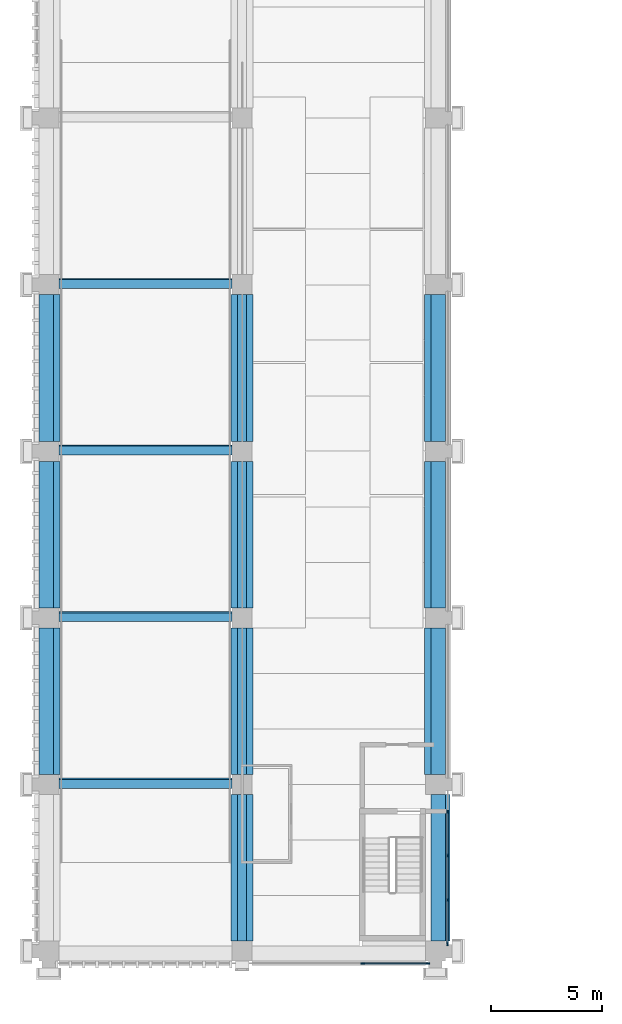
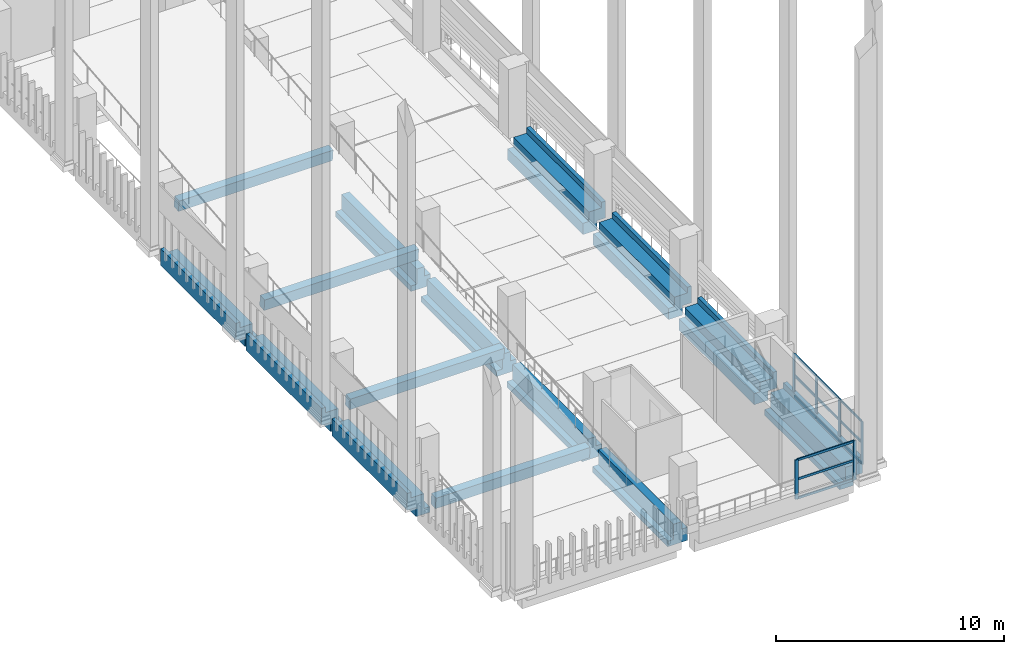
# One storey, part 2 of 67: 18 members, 15 beams, 2 elements without a shape of their own.
"""IFC4 building model written with IfcOpenShell, lengths in metres."""

from ifc_helpers import new_model, si_unit, direction, frame, origin, origin_2d, place, context, subcontext, project, spatial, polyline, rectangle, outline, extrude, material, layer, layer_set, material_profile, profile_set, type_object, element, aggregate, save


model = new_model("IFC4")

# Units and contexts
model_context = context("Model", 3, precision=1e-05, world=origin(), true_north=direction((0.0, 1.0)))
body_context = subcontext(model_context, "Body", "Model", "MODEL_VIEW")
ifc_project = project(units=[si_unit("LENGTHUNIT", "METRE"), si_unit("AREAUNIT", "SQUARE_METRE"), si_unit("VOLUMEUNIT", "CUBIC_METRE"), si_unit("PLANEANGLEUNIT", "RADIAN"), si_unit("MASSUNIT", "GRAM", prefix="KILO")], contexts=[model_context])

# Site, building, storey
site_placement = place(None, origin())
site = spatial("IfcSite", under=ifc_project, at=site_placement, CompositionType="ELEMENT")
building_placement = place(site_placement, origin())
building = spatial("IfcBuilding", under=site, at=building_placement, Name="Cour d'Honneur Mobility Palace", CompositionType="ELEMENT")
storey_placement = place(building_placement, frame((0.0, 0.0, 4.5)))
storey = spatial("IfcBuildingStorey", under=building, at=storey_placement, Name="L01", CompositionType="ELEMENT", Elevation=4.5)

# Curtain wall, members
ifc_material_1 = material(Name="Aluminium and glass", Category="aluminium")
ifc_layer = layer(ifc_material_1, 0.10009765625)
ifc_layer_set = layer_set([ifc_layer], Name="Aluminium and glass")
curtain_wall_type = type_object("IfcCurtainWallType", Name="Curtain wall run", PredefinedType="NOTDEFINED", material=ifc_layer_set)
curtain_wall_1_placement = place(storey_placement, origin())
curtain_wall_1 = element("IfcCurtainWall", 1, at=curtain_wall_1_placement, inside=storey, type_object=curtain_wall_type, Name="Curtain wall CW-153", PredefinedType="NOTDEFINED")
ifc_material_2 = material(Name="Aluminium", Category="aluminium")
ifc_material_profile_1 = material_profile(ifc_material_2, rectangle(XDim=0.06005859375, YDim=0.159912109375, at=origin_2d()), Name="Curtain wall mullion")
ifc_profile_set_1 = profile_set([ifc_material_profile_1], Name="Aluminium")
member_type_1 = type_object("IfcMemberType", Name="Curtain wall mullion", PredefinedType="MULLION", material=ifc_profile_set_1)
member_1_placement = place(storey_placement, frame((14.1298828125, -0.550048828125, 0.0), z_axis=(0.0, 0.0, 1.0), x_axis=(0.0, 1.0, 0.0)))
member_1 = element("IfcMember", 2, at=member_1_placement, type_object=member_type_1, Name="CW-153 mullion 1", PredefinedType="MULLION", context=body_context, shape_type="SweptSolid", body=[
    extrude(rectangle(XDim=0.06005859375, YDim=0.159912109375, at=origin_2d()), origin(), (0.0, 0.0, 1.0), 2.10009765625),
])
member_2_placement = place(storey_placement, frame((17.070068359375, -0.550048828125, 0.0), z_axis=(0.0, 0.0, 1.0), x_axis=(0.0, 1.0, 0.0)))
member_2 = element("IfcMember", 3, at=member_2_placement, type_object=member_type_1, Name="CW-153 mullion 2", PredefinedType="MULLION", context=body_context, shape_type="SweptSolid", body=[
    extrude(rectangle(XDim=0.06005859375, YDim=0.159912109375, at=origin_2d()), origin(), (0.0, 0.0, 1.0), 2.10009765625),
])

curtain_wall_2_placement = place(storey_placement, origin())
curtain_wall_2 = element("IfcCurtainWall", 4, at=curtain_wall_2_placement, inside=storey, type_object=curtain_wall_type, Name="Curtain wall CW-154", PredefinedType="NOTDEFINED")
member_3_placement = place(storey_placement, frame((17.949951171875, 0.330078125, 0.0), z_axis=(0.0, 0.0, 1.0), x_axis=(-1.0, 0.0, 0.0)))
member_3 = element("IfcMember", 5, at=member_3_placement, type_object=member_type_1, Name="CW-154 mullion 1", PredefinedType="MULLION", context=body_context, shape_type="SweptSolid", body=[
    extrude(rectangle(XDim=0.06005859375, YDim=0.159912109375, at=origin_2d()), origin(), (0.0, 0.0, 1.0), 2.300048828125),
])
member_4_placement = place(storey_placement, frame((17.949951171875, 2.300048828125, 0.0), z_axis=(0.0, 0.0, 1.0), x_axis=(-1.0, 0.0, 0.0)))
member_4 = element("IfcMember", 6, at=member_4_placement, type_object=member_type_1, Name="CW-154 mullion 2", PredefinedType="MULLION", context=body_context, shape_type="SweptSolid", body=[
    extrude(rectangle(XDim=0.06005859375, YDim=0.159912109375, at=origin_2d()), origin(), (0.0, 0.0, 1.0), 2.300048828125),
])
member_5_placement = place(storey_placement, frame((17.949951171875, 4.300048828125, 0.0), z_axis=(0.0, 0.0, 1.0), x_axis=(-1.0, 0.0, 0.0)))
member_5 = element("IfcMember", 7, at=member_5_placement, type_object=member_type_1, Name="CW-154 mullion 3", PredefinedType="MULLION", context=body_context, shape_type="SweptSolid", body=[
    extrude(rectangle(XDim=0.06005859375, YDim=0.159912109375, at=origin_2d()), origin(), (0.0, 0.0, 1.0), 2.300048828125),
])
member_6_placement = place(storey_placement, frame((17.949951171875, 6.27001953125, 0.0), z_axis=(0.0, 0.0, 1.0), x_axis=(-1.0, 0.0, 0.0)))
member_6 = element("IfcMember", 8, at=member_6_placement, type_object=member_type_1, Name="CW-154 mullion 4", PredefinedType="MULLION", context=body_context, shape_type="SweptSolid", body=[
    extrude(rectangle(XDim=0.06005859375, YDim=0.159912109375, at=origin_2d()), origin(), (0.0, 0.0, 1.0), 2.300048828125),
])

# Member
ifc_material_3 = material(Name="Aluminium", Category="aluminium")
ifc_material_profile_2 = material_profile(ifc_material_3, rectangle(XDim=0.06005859375, YDim=0.1201171875, at=origin_2d()), Name="Curtain wall transom")
ifc_profile_set_2 = profile_set([ifc_material_profile_2], Name="Aluminium")
member_type_2 = type_object("IfcMemberType", Name="Curtain wall transom", PredefinedType="USERDEFINED", material=ifc_profile_set_2)
member_7_placement = place(storey_placement, frame((14.159912109375, -0.550048828125, 0.030029296875), z_axis=(1.0, 0.0, 0.0), x_axis=(0.0, 1.0, 0.0)))
member_7 = element("IfcMember", 9, at=member_7_placement, type_object=member_type_2, Name="CW-153 transom 1.1", ObjectType="TRANSOM", PredefinedType="USERDEFINED", context=body_context, shape_type="SweptSolid", body=[
    extrude(rectangle(XDim=0.06005859375, YDim=0.1201171875, at=origin_2d()), origin(), (0.0, 0.0, 1.0), 2.880126953125),
])

member_8_placement = place(storey_placement, frame((14.159912109375, -0.550048828125, 1.050048828125), z_axis=(1.0, 0.0, 0.0), x_axis=(0.0, 1.0, 0.0)))
member_8 = element("IfcMember", 10, at=member_8_placement, type_object=member_type_2, Name="CW-153 transom 1.2", ObjectType="TRANSOM", PredefinedType="USERDEFINED", context=body_context, shape_type="SweptSolid", body=[
    extrude(rectangle(XDim=0.06005859375, YDim=0.1201171875, at=origin_2d()), origin(), (0.0, 0.0, 1.0), 2.880126953125),
])

member_9_placement = place(storey_placement, frame((14.159912109375, -0.550048828125, 2.070068359375), z_axis=(1.0, 0.0, 0.0), x_axis=(0.0, 1.0, 0.0)))
member_9 = element("IfcMember", 11, at=member_9_placement, type_object=member_type_2, Name="CW-153 transom 1.3", ObjectType="TRANSOM", PredefinedType="USERDEFINED", context=body_context, shape_type="SweptSolid", body=[
    extrude(rectangle(XDim=0.06005859375, YDim=0.1201171875, at=origin_2d()), origin(), (0.0, 0.0, 1.0), 2.880126953125),
])

aggregate(curtain_wall_1, [member_1, member_2, member_7, member_8, member_9])

member_10_placement = place(storey_placement, frame((17.949951171875, 0.360107421875, 0.030029296875), z_axis=(0.0, 1.0, 0.0), x_axis=(-1.0, 0.0, 0.0)))
member_10 = element("IfcMember", 12, at=member_10_placement, type_object=member_type_2, Name="CW-154 transom 1.1", ObjectType="TRANSOM", PredefinedType="USERDEFINED", context=body_context, shape_type="SweptSolid", body=[
    extrude(rectangle(XDim=0.06005859375, YDim=0.1201171875, at=origin_2d()), origin(), (0.0, 0.0, 1.0), 1.909912109375),
])

member_11_placement = place(storey_placement, frame((17.949951171875, 0.360107421875, 1.14990234375), z_axis=(0.0, 1.0, 0.0), x_axis=(-1.0, 0.0, 0.0)))
member_11 = element("IfcMember", 13, at=member_11_placement, type_object=member_type_2, Name="CW-154 transom 1.2", ObjectType="TRANSOM", PredefinedType="USERDEFINED", context=body_context, shape_type="SweptSolid", body=[
    extrude(rectangle(XDim=0.06005859375, YDim=0.1201171875, at=origin_2d()), origin(), (0.0, 0.0, 1.0), 1.909912109375),
])

member_12_placement = place(storey_placement, frame((17.949951171875, 0.360107421875, 2.27001953125), z_axis=(0.0, 1.0, 0.0), x_axis=(-1.0, 0.0, 0.0)))
member_12 = element("IfcMember", 14, at=member_12_placement, type_object=member_type_2, Name="CW-154 transom 1.3", ObjectType="TRANSOM", PredefinedType="USERDEFINED", context=body_context, shape_type="SweptSolid", body=[
    extrude(rectangle(XDim=0.06005859375, YDim=0.1201171875, at=origin_2d()), origin(), (0.0, 0.0, 1.0), 1.909912109375),
])

member_13_placement = place(storey_placement, frame((17.949951171875, 2.330078125, 0.030029296875), z_axis=(0.0, 1.0, 0.0), x_axis=(-1.0, 0.0, 0.0)))
member_13 = element("IfcMember", 15, at=member_13_placement, type_object=member_type_2, Name="CW-154 transom 2.1", ObjectType="TRANSOM", PredefinedType="USERDEFINED", context=body_context, shape_type="SweptSolid", body=[
    extrude(rectangle(XDim=0.06005859375, YDim=0.1201171875, at=origin_2d()), origin(), (0.0, 0.0, 1.0), 1.93994140625),
])

member_14_placement = place(storey_placement, frame((17.949951171875, 2.330078125, 1.14990234375), z_axis=(0.0, 1.0, 0.0), x_axis=(-1.0, 0.0, 0.0)))
member_14 = element("IfcMember", 16, at=member_14_placement, type_object=member_type_2, Name="CW-154 transom 2.2", ObjectType="TRANSOM", PredefinedType="USERDEFINED", context=body_context, shape_type="SweptSolid", body=[
    extrude(rectangle(XDim=0.06005859375, YDim=0.1201171875, at=origin_2d()), origin(), (0.0, 0.0, 1.0), 1.93994140625),
])

member_15_placement = place(storey_placement, frame((17.949951171875, 2.330078125, 2.27001953125), z_axis=(0.0, 1.0, 0.0), x_axis=(-1.0, 0.0, 0.0)))
member_15 = element("IfcMember", 17, at=member_15_placement, type_object=member_type_2, Name="CW-154 transom 2.3", ObjectType="TRANSOM", PredefinedType="USERDEFINED", context=body_context, shape_type="SweptSolid", body=[
    extrude(rectangle(XDim=0.06005859375, YDim=0.1201171875, at=origin_2d()), origin(), (0.0, 0.0, 1.0), 1.93994140625),
])

member_16_placement = place(storey_placement, frame((17.949951171875, 4.330078125, 0.030029296875), z_axis=(0.0, 1.0, 0.0), x_axis=(-1.0, 0.0, 0.0)))
member_16 = element("IfcMember", 18, at=member_16_placement, type_object=member_type_2, Name="CW-154 transom 3.1", ObjectType="TRANSOM", PredefinedType="USERDEFINED", context=body_context, shape_type="SweptSolid", body=[
    extrude(rectangle(XDim=0.06005859375, YDim=0.1201171875, at=origin_2d()), origin(), (0.0, 0.0, 1.0), 1.909912109375),
])

member_17_placement = place(storey_placement, frame((17.949951171875, 4.330078125, 1.14990234375), z_axis=(0.0, 1.0, 0.0), x_axis=(-1.0, 0.0, 0.0)))
member_17 = element("IfcMember", 19, at=member_17_placement, type_object=member_type_2, Name="CW-154 transom 3.2", ObjectType="TRANSOM", PredefinedType="USERDEFINED", context=body_context, shape_type="SweptSolid", body=[
    extrude(rectangle(XDim=0.06005859375, YDim=0.1201171875, at=origin_2d()), origin(), (0.0, 0.0, 1.0), 1.909912109375),
])

member_18_placement = place(storey_placement, frame((17.949951171875, 4.330078125, 2.27001953125), z_axis=(0.0, 1.0, 0.0), x_axis=(-1.0, 0.0, 0.0)))
member_18 = element("IfcMember", 20, at=member_18_placement, type_object=member_type_2, Name="CW-154 transom 3.3", ObjectType="TRANSOM", PredefinedType="USERDEFINED", context=body_context, shape_type="SweptSolid", body=[
    extrude(rectangle(XDim=0.06005859375, YDim=0.1201171875, at=origin_2d()), origin(), (0.0, 0.0, 1.0), 1.909912109375),
])

aggregate(curtain_wall_2, [member_3, member_4, member_5, member_6, member_10, member_11, member_12, member_13, member_14, member_15, member_16, member_17, member_18])

# Beams
ifc_material_4 = material(Name="Concrete C45", Category="concrete")
ifc_material_profile_3 = material_profile(ifc_material_4, outline(polyline([(0.5, -1.10009765625), (0.5, -0.800048828125), (0.199951171875, -0.800048828125), (0.199951171875, 0.0), (-0.199951171875, 0.0), (-0.199951171875, -0.5), (-0.5, -0.5), (-0.5, -1.10009765625), (0.5, -1.10009765625)])), Name="Inverted Tee Beam 400x1100 ledges 300/600 plain")
ifc_profile_set_3 = profile_set([ifc_material_profile_3], Name="Concrete C45")
beam_type_1 = type_object("IfcBeamType", Name="Inverted Tee Beam 400x1100 ledges 300/600 plain", PredefinedType="T_BEAM", material=ifc_profile_set_3)
for number, where, z_axis, x_axis, name in (
    (21, (8.699951171875, 7.949951171875, 0.0), (0.0, 1.0, 0.0), (-1.0, 0.0, 0.0), "Precast beam B11 B-C L01"),
    (22, (8.699951171875, 15.449951171875, 0.0), (0.0, 1.0, 0.0), (-1.0, 0.0, 0.0), "Precast beam B11 C-D L01"),
    (23, (8.699951171875, 22.949951171875, 0.0), (0.0, 1.0, 0.0), (-1.0, 0.0, 0.0), "Precast beam B11 D-E L01"),
):
    element("IfcBeam", number, at=place(storey_placement, frame(where, z_axis=z_axis, x_axis=x_axis)), inside=storey, type_object=beam_type_1, Name=name, PredefinedType="T_BEAM", context=body_context, shape_type="SweptSolid", body=[
        extrude(outline(polyline([(0.5, -1.10009765625), (0.5, -0.800048828125), (0.199951171875, -0.800048828125), (0.199951171875, 0.0), (-0.199951171875, 0.0), (-0.199951171875, -0.5), (-0.5, -0.5), (-0.5, -1.10009765625), (0.5, -1.10009765625)])), origin(), (0.0, 0.0, 1.0), 6.60009765625),
    ])
ifc_material_5 = material(Name="Concrete C45", Category="concrete")
ifc_material_profile_4 = material_profile(ifc_material_5, outline(polyline([(0.5, -1.10009765625), (0.5, -0.800048828125), (0.199951171875, -0.800048828125), (0.199951171875, 0.0), (-0.199951171875, 0.0), (-0.199951171875, -0.39990234375), (-0.5, -0.39990234375), (-0.5, -1.10009765625), (0.5, -1.10009765625)])), Name="Inverted Tee Beam 400x1100 ledges 300/700 plain")
ifc_profile_set_4 = profile_set([ifc_material_profile_4], Name="Concrete C45")
beam_type_2 = type_object("IfcBeamType", Name="Inverted Tee Beam 400x1100 ledges 300/700 plain", PredefinedType="T_BEAM", material=ifc_profile_set_4)
beam_1_placement = place(storey_placement, frame((8.699951171875, 0.449951171875, 0.0), z_axis=(0.0, 1.0, 0.0), x_axis=(-1.0, 0.0, 0.0)))
element("IfcBeam", 24, at=beam_1_placement, inside=storey, type_object=beam_type_2, Name="Precast beam B10 A-B L01", PredefinedType="T_BEAM", context=body_context, shape_type="SweptSolid", body=[
    extrude(outline(polyline([(0.5, -1.10009765625), (0.5, -0.800048828125), (0.199951171875, -0.800048828125), (0.199951171875, 0.0), (-0.199951171875, 0.0), (-0.199951171875, -0.39990234375), (-0.5, -0.39990234375), (-0.5, -1.10009765625), (0.5, -1.10009765625)])), origin(), (0.0, 0.0, 1.0), 6.60009765625),
])
ifc_material_6 = material(Name="Concrete C45", Category="concrete")
ifc_material_profile_5 = material_profile(ifc_material_6, outline(polyline([(0.5, -1.10009765625), (0.5, -0.800048828125), (0.199951171875, -0.800048828125), (0.199951171875, 0.0), (-0.199951171875, 0.0), (-0.449951171875, 0.0), (-0.449951171875, 0.300048828125), (-0.64990234375, 0.300048828125), (-0.64990234375, -0.60009765625), (-0.199951171875, -0.60009765625), (-0.199951171875, -1.10009765625), (0.5, -1.10009765625)])), Name="Ledger Beam 400x1100 ledge left 300 facade right")
ifc_profile_set_5 = profile_set([ifc_material_profile_5], Name="Concrete C45")
beam_type_3 = type_object("IfcBeamType", Name="Ledger Beam 400x1100 ledge left 300 facade right", PredefinedType="BEAM", material=ifc_profile_set_5)
beam_2_placement = place(storey_placement, frame((17.39990234375, 0.449951171875, 0.0), z_axis=(0.0, 1.0, 0.0), x_axis=(-1.0, 0.0, 0.0)))
element("IfcBeam", 25, at=beam_2_placement, inside=storey, type_object=beam_type_3, Name="Precast beam B3 A-B L01", PredefinedType="BEAM", context=body_context, shape_type="SweptSolid", body=[
    extrude(outline(polyline([(0.5, -1.10009765625), (0.5, -0.800048828125), (0.199951171875, -0.800048828125), (0.199951171875, 0.0), (-0.199951171875, 0.0), (-0.449951171875, 0.0), (-0.449951171875, 0.300048828125), (-0.64990234375, 0.300048828125), (-0.64990234375, -0.60009765625), (-0.199951171875, -0.60009765625), (-0.199951171875, -1.10009765625), (0.5, -1.10009765625)])), origin(), (0.0, 0.0, 1.0), 6.60009765625),
])
ifc_material_7 = material(Name="Concrete C45", Category="concrete")
ifc_material_profile_6 = material_profile(ifc_material_7, outline(polyline([(0.5, -1.10009765625), (0.5, -0.5), (0.199951171875, -0.5), (0.199951171875, 0.0), (-0.199951171875, 0.0), (-0.449951171875, 0.0), (-0.449951171875, 0.300048828125), (-0.64990234375, 0.300048828125), (-0.64990234375, -0.60009765625), (-0.199951171875, -0.60009765625), (-0.199951171875, -1.10009765625), (0.5, -1.10009765625)])), Name="Ledger Beam 400x1100 ledge left 600 facade right")
ifc_profile_set_6 = profile_set([ifc_material_profile_6], Name="Concrete C45")
beam_type_4 = type_object("IfcBeamType", Name="Ledger Beam 400x1100 ledge left 600 facade right", PredefinedType="BEAM", material=ifc_profile_set_6)
for number, where, z_axis, x_axis, name in (
    (26, (17.39990234375, 7.949951171875, 0.0), (0.0, 1.0, 0.0), (-1.0, 0.0, 0.0), "Precast beam B12 B-C L01"),
    (27, (17.39990234375, 15.449951171875, 0.0), (0.0, 1.0, 0.0), (-1.0, 0.0, 0.0), "Precast beam B12 C-D L01"),
    (28, (17.39990234375, 22.949951171875, 0.0), (0.0, 1.0, 0.0), (-1.0, 0.0, 0.0), "Precast beam B12 D-E L01"),
):
    element("IfcBeam", number, at=place(storey_placement, frame(where, z_axis=z_axis, x_axis=x_axis)), inside=storey, type_object=beam_type_4, Name=name, PredefinedType="BEAM", context=body_context, shape_type="SweptSolid", body=[
        extrude(outline(polyline([(0.5, -1.10009765625), (0.5, -0.5), (0.199951171875, -0.5), (0.199951171875, 0.0), (-0.199951171875, 0.0), (-0.449951171875, 0.0), (-0.449951171875, 0.300048828125), (-0.64990234375, 0.300048828125), (-0.64990234375, -0.60009765625), (-0.199951171875, -0.60009765625), (-0.199951171875, -1.10009765625), (0.5, -1.10009765625)])), origin(), (0.0, 0.0, 1.0), 6.60009765625),
    ])
ifc_material_8 = material(Name="Concrete C45", Category="concrete")
ifc_material_profile_7 = material_profile(ifc_material_8, outline(polyline([(0.199951171875, -1.10009765625), (0.199951171875, -0.60009765625), (0.64990234375, -0.60009765625), (0.64990234375, 0.300048828125), (0.449951171875, 0.300048828125), (0.449951171875, 0.0), (0.199951171875, 0.0), (-0.199951171875, 0.0), (-0.199951171875, -0.800048828125), (-0.5, -0.800048828125), (-0.5, -1.10009765625), (0.199951171875, -1.10009765625)])), Name="Ledger Beam 400x1100 ledge right 300 facade left")
ifc_profile_set_7 = profile_set([ifc_material_profile_7], Name="Concrete C45")
beam_type_5 = type_object("IfcBeamType", Name="Ledger Beam 400x1100 ledge right 300 facade left", PredefinedType="BEAM", material=ifc_profile_set_7)
for number, where, z_axis, x_axis, name in (
    (29, (0.0, 7.949951171875, 0.0), (0.0, 1.0, 0.0), (-1.0, 0.0, 0.0), "Precast beam B6 B-C L01"),
    (30, (0.0, 15.449951171875, 0.0), (0.0, 1.0, 0.0), (-1.0, 0.0, 0.0), "Precast beam B6 C-D L01"),
    (31, (0.0, 22.949951171875, 0.0), (0.0, 1.0, 0.0), (-1.0, 0.0, 0.0), "Precast beam B6 D-E L01"),
):
    element("IfcBeam", number, at=place(storey_placement, frame(where, z_axis=z_axis, x_axis=x_axis)), inside=storey, type_object=beam_type_5, Name=name, PredefinedType="BEAM", context=body_context, shape_type="SweptSolid", body=[
        extrude(outline(polyline([(0.199951171875, -1.10009765625), (0.199951171875, -0.60009765625), (0.64990234375, -0.60009765625), (0.64990234375, 0.300048828125), (0.449951171875, 0.300048828125), (0.449951171875, 0.0), (0.199951171875, 0.0), (-0.199951171875, 0.0), (-0.199951171875, -0.800048828125), (-0.5, -0.800048828125), (-0.5, -1.10009765625), (0.199951171875, -1.10009765625)])), origin(), (0.0, 0.0, 1.0), 6.60009765625),
    ])
ifc_material_9 = material(Name="Concrete C40", Category="concrete")
ifc_material_profile_8 = material_profile(ifc_material_9, rectangle(XDim=0.39990234375, YDim=0.60009765625, at=origin_2d()), Name="Ramp cross beam 400x600")
ifc_profile_set_8 = profile_set([ifc_material_profile_8], Name="Concrete C40")
beam_type_6 = type_object("IfcBeamType", Name="Ramp cross beam 400x600", PredefinedType="BEAM", material=ifc_profile_set_8)
for number, where, z_axis, x_axis, name in (
    (32, (0.449951171875, 7.559814453125, -0.2470703125), (1.0, 0.0, 0.0), (0.0, 0.995037190449, 0.099503716633), "Ramp cross beam SW.R1-1"),
    (33, (0.449951171875, 15.059814453125, 0.5029296875), (1.0, 0.0, 0.0), (0.0, 0.995037190449, 0.099503716633), "Ramp cross beam SW.R1-2"),
    (34, (0.449951171875, 22.559814453125, 1.2529296875), (1.0, 0.0, 0.0), (0.0, 0.995037190449, 0.099503716633), "Ramp cross beam SW.R1-3"),
    (35, (0.449951171875, 30.059814453125, 2.0029296875), (1.0, 0.0, 0.0), (0.0, 0.995037190449, 0.099503716633), "Ramp cross beam SW.R1-4"),
):
    element("IfcBeam", number, at=place(storey_placement, frame(where, z_axis=z_axis, x_axis=x_axis)), inside=storey, type_object=beam_type_6, Name=name, PredefinedType="BEAM", context=body_context, shape_type="SweptSolid", body=[
        extrude(rectangle(XDim=0.39990234375, YDim=0.60009765625, at=origin_2d()), origin(), (0.0, 0.0, 1.0), 7.800048828125),
    ])

save(model, "model.ifc")
